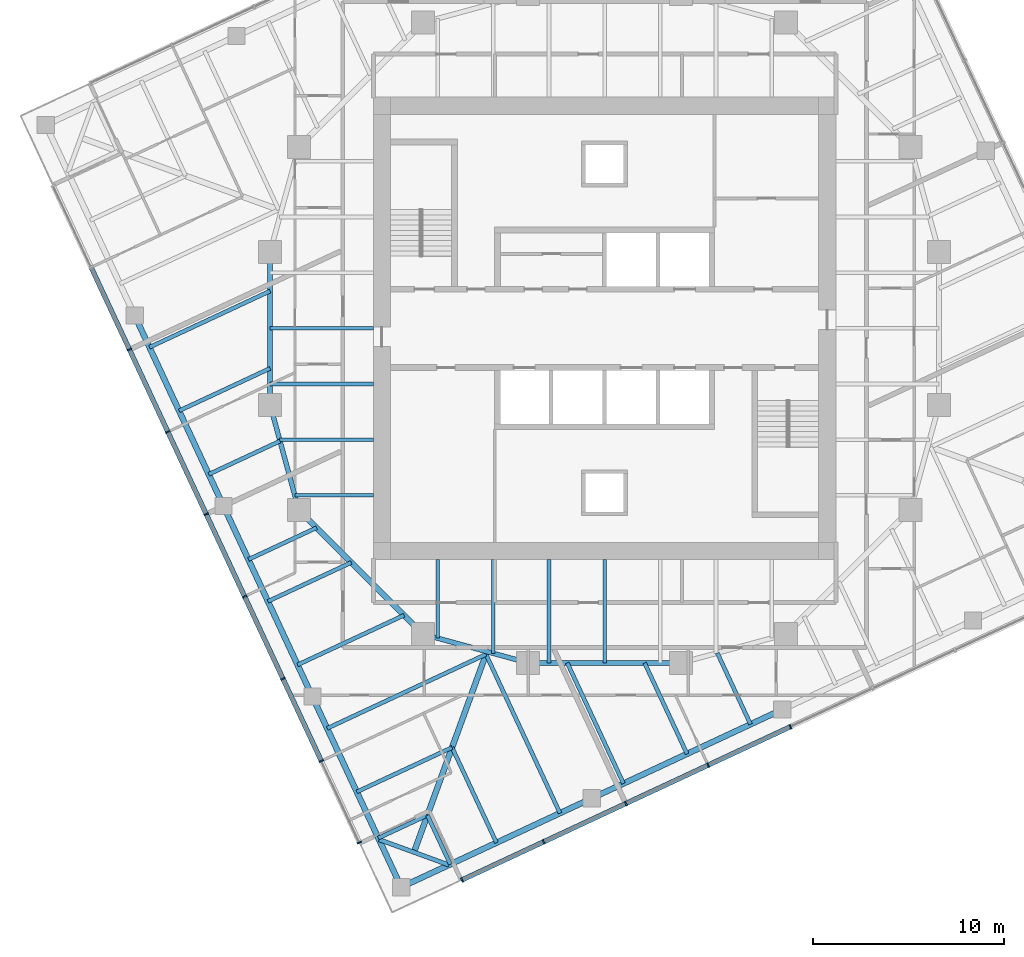
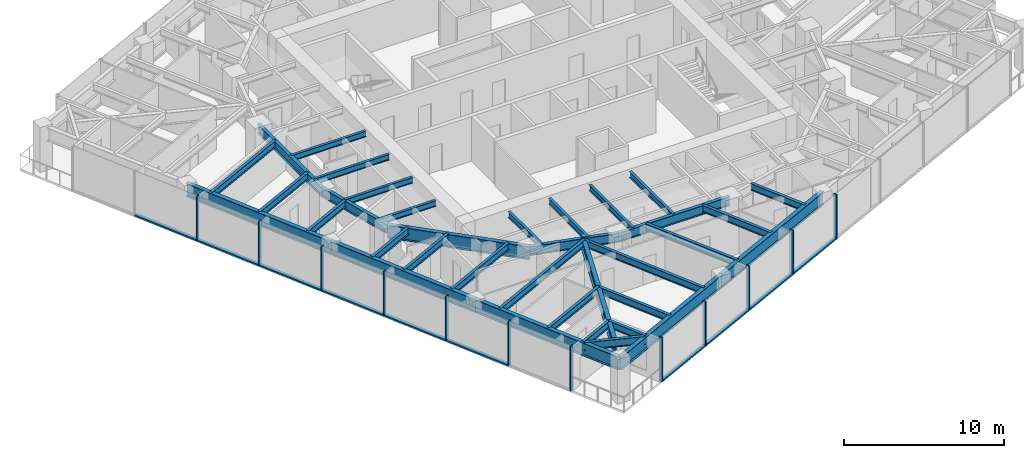
# One storey, part 2 of 12: 35 beams, 22 members, 2 elements without a shape of their own.
"""IFC4 building model written with IfcOpenShell, lengths in metres."""

import ifcopenshell
import ifcopenshell.guid

model = None  # the IFC model being written
_history = None  # IfcOwnerHistory: only IFC2X3 demands one
_inside = {}  # id of a spatial element -> (the spatial element, [elements in it])
_under = {}  # id of a project, library or spatial element -> (it, [spatial elements below it])
_declared = {}  # id of a project -> (the project, [libraries it declares])
_typed = {}  # id of a type object -> (the type object, [elements of that type])
_made_of = {}  # id of a material, layer set ... -> (it, [elements and type objects made of it])


def new_model(schema):
    """Start an empty IFC model of exactly this schema.

    Asked for "IFC4X3", IfcOpenShell would pick the latest addendum, in which some entities
    have other attributes; the version numbers below select the first issue.
    IFC2X3 requires an IfcOwnerHistory on every rooted entity: one is made here for all.
    """
    global model, _history
    if schema == "IFC4X3":
        model = ifcopenshell.file(schema_version=(4, 3, 0, 0))
    else:
        model = ifcopenshell.file(schema=schema)
    _inside.clear()
    _under.clear()
    _declared.clear()
    _typed.clear()
    _made_of.clear()
    _history = None
    if model.schema == "IFC2X3":
        org = make("IfcOrganization", Name="unknown")
        user = make(
            "IfcPersonAndOrganization",
            ThePerson=make("IfcPerson", FamilyName="unknown"),
            TheOrganization=org,
        )
        app = make(
            "IfcApplication",
            ApplicationDeveloper=org,
            Version="unknown",
            ApplicationFullName="unknown",
            ApplicationIdentifier="unknown",
        )
        _history = make(
            "IfcOwnerHistory",
            OwningUser=user,
            OwningApplication=app,
            ChangeAction="ADDED",
            CreationDate=0,
        )
    return model


def make(cls, **values):
    """One entity of the class cls with the attributes given. An attribute that is None is left unset."""
    return model.create_entity(
        cls, **{name: value for name, value in values.items() if value is not None}
    )


def rooted(cls, **values):
    """An entity with a GlobalId (a new one), such as an element, a storey or a relation."""
    return make(cls, GlobalId=ifcopenshell.guid.new(), OwnerHistory=_history, **values)


def si_unit(unit_type, name, prefix=None):
    """IfcSIUnit, for example si_unit("LENGTHUNIT", "METRE", prefix="MILLI")."""
    return make("IfcSIUnit", UnitType=unit_type, Prefix=prefix, Name=name)


def assignment(units):
    """IfcUnitAssignment: the units of a project."""
    return None if units is None else make("IfcUnitAssignment", Units=units)


def point(xyz):
    """IfcCartesianPoint."""
    return None if xyz is None else make("IfcCartesianPoint", Coordinates=xyz)


def direction(xyz):
    """IfcDirection."""
    return None if xyz is None else make("IfcDirection", DirectionRatios=xyz)


def frame(location, z_axis=None, x_axis=None):
    """IfcAxis2Placement3D, a coordinate frame: its origin and axes. An axis left out is left unset."""
    return make(
        "IfcAxis2Placement3D",
        Location=point(location),
        Axis=direction(z_axis),
        RefDirection=direction(x_axis),
    )


def frame_2d(location, x_axis=None):
    """IfcAxis2Placement2D, a coordinate frame in the plane: its origin and x axis."""
    return make(
        "IfcAxis2Placement2D", Location=point(location), RefDirection=direction(x_axis)
    )


def origin():
    """The frame at (0, 0, 0) with its axes left unset."""
    return frame((0.0, 0.0, 0.0))


def origin_2d():
    """The frame at (0, 0) in the plane with its x axis left unset."""
    return frame_2d((0.0, 0.0))


def place(relative_to, where):
    """IfcLocalPlacement: puts the frame where relative to a parent placement (None: the world)."""
    return make(
        "IfcLocalPlacement", PlacementRelTo=relative_to, RelativePlacement=where
    )


def context(
    kind, dimensions, precision=None, world=None, true_north=None, identifier=None
):
    """IfcGeometricRepresentationContext, for example the 3D "Model" context."""
    return make(
        "IfcGeometricRepresentationContext",
        ContextIdentifier=identifier,
        ContextType=kind,
        CoordinateSpaceDimension=dimensions,
        Precision=precision,
        WorldCoordinateSystem=world,
        TrueNorth=true_north,
    )


def subcontext(parent, identifier, kind, view, scale=None):
    """IfcGeometricRepresentationSubContext, for example "Body" below "Model"."""
    return make(
        "IfcGeometricRepresentationSubContext",
        ContextIdentifier=identifier,
        ContextType=kind,
        ParentContext=parent,
        TargetScale=scale,
        TargetView=view,
    )


def project(units=None, contexts=None):
    """IfcProject with its units and contexts."""
    return rooted(
        "IfcProject",
        Name="project",
        RepresentationContexts=contexts,
        UnitsInContext=assignment(units),
    )


def spatial(cls, under=None, at=None, **own):
    """A site, building, storey or space (cls), placed at a placement, below another one or the project."""
    s = rooted(cls, ObjectPlacement=at, **own)
    if under is not None:
        _under.setdefault(under.id(), (under, []))[1].append(s)
    return s


def profile(cls, at=None, kind="AREA", **sizes):
    """A parametric profile (cls). Its sizes go by their IFC names, for example OverallWidth=200.0."""
    return make(cls, ProfileType=kind, Position=at, **sizes)


def rectangle(**sizes):
    """IfcRectangleProfileDef."""
    return profile("IfcRectangleProfileDef", **sizes)


def i_section(**sizes):
    """IfcIShapeProfileDef."""
    return profile("IfcIShapeProfileDef", **sizes)


def extrude(swept, where, along, depth):
    """IfcExtrudedAreaSolid: the profile swept, set in the frame where, extruded along a direction by depth."""
    return make(
        "IfcExtrudedAreaSolid",
        SweptArea=swept,
        Position=where,
        ExtrudedDirection=direction(along),
        Depth=depth,
    )


def shape(context_of_items, identifier, shape_type, items):
    """IfcShapeRepresentation: the items that make up one representation, for example the "Body"."""
    return make(
        "IfcShapeRepresentation",
        ContextOfItems=context_of_items,
        RepresentationIdentifier=identifier,
        RepresentationType=shape_type,
        Items=items,
    )


def material(Name=None, Category=None):
    """IfcMaterial."""
    return make("IfcMaterial", Name=Name, Category=Category)


def material_profile(
    of_material, cross_section, Name=None, Category=None, Priority=None
):
    """IfcMaterialProfile: a cross section and its material."""
    return make(
        "IfcMaterialProfile",
        Name=Name,
        Material=of_material,
        Profile=cross_section,
        Priority=Priority,
        Category=Category,
    )


def profile_set(profiles, Name=None, composite=None):
    """IfcMaterialProfileSet."""
    return make(
        "IfcMaterialProfileSet",
        Name=Name,
        MaterialProfiles=profiles,
        CompositeProfile=composite,
    )


def made_of(thing, what):
    """Note that an element or type object is made of a material, layer set ...; save() writes the relation."""
    if what is not None:
        _made_of.setdefault(what.id(), (what, []))[1].append(thing)
    return thing


def type_object(cls, material=None, **own):
    """A type object (cls), such as IfcWallType, which elements share."""
    return made_of(rooted(cls, **own), material)


def element(
    cls,
    number,
    at=None,
    inside=None,
    cuts=None,
    type_object=None,
    material=None,
    context=None,
    identifier="Body",
    shape_type=None,
    held_by="IfcProductDefinitionShape",
    body=None,
    shapes=None,
    **own,
):
    """One element of the class cls, such as IfcWall. Its Tag is "e" and its number.

    at: its placement. inside: the storey or other place that contains it. cuts: it is an
    opening in that element (IfcRelVoidsElement). A single representation is given by context,
    identifier, shape_type and body (its items); several are given by shapes. held_by: the class
    of the entity that holds the representations. save() writes the other relations.
    """
    e = rooted(cls, Tag="e%d" % number, ObjectPlacement=at, **own)
    if body is not None:
        shapes = [shape(context, identifier, shape_type, body)]
    if shapes is not None:
        e.Representation = make(held_by, Representations=shapes)
    if inside is not None:
        _inside.setdefault(inside.id(), (inside, []))[1].append(e)
    if cuts is not None:
        rooted(
            "IfcRelVoidsElement", RelatingBuildingElement=cuts, RelatedOpeningElement=e
        )
    if type_object is not None:
        _typed.setdefault(type_object.id(), (type_object, []))[1].append(e)
    return made_of(e, material)


def aggregate(whole, parts):
    """IfcRelAggregates: a whole, such as a stair, and the parts it consists of."""
    return rooted("IfcRelAggregates", RelatingObject=whole, RelatedObjects=parts)


def save(model, path):
    """Write the relations noted so far, then the file.

    IfcRelAggregates (storeys below a building ...), IfcRelContainedInSpatialStructure (elements
    in a storey), IfcRelDefinesByType, IfcRelAssociatesMaterial and IfcRelDeclares: one each for
    every whole, place, type object, material and project.
    """
    for whole, parts in _under.values():
        aggregate(whole, parts)
    for where, things in _inside.values():
        rooted(
            "IfcRelContainedInSpatialStructure",
            RelatedElements=things,
            RelatingStructure=where,
        )
    for kind, things in _typed.values():
        rooted("IfcRelDefinesByType", RelatedObjects=things, RelatingType=kind)
    for what, things in _made_of.values():
        rooted("IfcRelAssociatesMaterial", RelatedObjects=things, RelatingMaterial=what)
    for by, libraries in _declared.values():
        rooted("IfcRelDeclares", RelatingContext=by, RelatedDefinitions=libraries)
    model.write(path)


model = new_model("IFC4")

# Units and contexts
model_context = context("Model", 3, precision=1e-05, world=origin(), true_north=direction((0.0, 1.0)))
body_context = subcontext(model_context, "Body", "Model", "MODEL_VIEW")
ifc_project = project(units=[si_unit("LENGTHUNIT", "METRE"), si_unit("AREAUNIT", "SQUARE_METRE"), si_unit("VOLUMEUNIT", "CUBIC_METRE"), si_unit("PLANEANGLEUNIT", "RADIAN"), si_unit("MASSUNIT", "GRAM", prefix="KILO")], contexts=[model_context])

# Site, building, storey
site_placement = place(None, origin())
site = spatial("IfcSite", under=ifc_project, at=site_placement, CompositionType="ELEMENT")
building_placement = place(site_placement, origin())
building = spatial("IfcBuilding", under=site, at=building_placement, Name="Torsade Residences", CompositionType="ELEMENT")
storey_placement = place(building_placement, frame((0.0, 0.0, 193.0)))
storey = spatial("IfcBuildingStorey", under=building, at=storey_placement, Name="L53", CompositionType="ELEMENT", Elevation=193.0)

# Beams
ifc_material_1 = material(Name="Steel grade 300", Category="steel")
ifc_material_profile_1 = material_profile(ifc_material_1, i_section(OverallWidth=0.300048828125, OverallDepth=0.89990234375, WebThickness=0.011962890625, FlangeThickness=0.02490234375, at=origin_2d()), Name="900WB175")
ifc_profile_set_1 = profile_set([ifc_material_profile_1], Name="Steel grade 300")
beam_type_1 = type_object("IfcBeamType", Name="CORNER GIRDER 900WB175", PredefinedType="BEAM", material=ifc_profile_set_1)
beam_1_placement = place(storey_placement, frame((30.02392578125, 2.5908203125, 2.800048828125), z_axis=(0.342015044723, 0.93969447651, 0.0), x_axis=(-0.93969447651, 0.342015044723, 0.0)))
element("IfcBeam", 1, at=beam_1_placement, inside=storey, type_object=beam_type_1, Name="Corner girder 01 L54", PredefinedType="BEAM", context=body_context, shape_type="SweptSolid", body=[
    extrude(i_section(OverallWidth=0.300048828125, OverallDepth=0.89990234375, WebThickness=0.011962890625, FlangeThickness=0.02490234375, at=origin_2d()), origin(), (0.0, 0.0, 1.0), 11.170654296875),
])
ifc_material_2 = material(Name="Steel grade 300", Category="steel")
ifc_material_profile_2 = material_profile(ifc_material_2, i_section(OverallWidth=0.22802734375, OverallDepth=0.60205078125, WebThickness=0.010498046875, FlangeThickness=0.014892578125, FilletRadius=0.013916015625, at=origin_2d()), Name="610UB101")
ifc_profile_set_2 = profile_set([ifc_material_profile_2], Name="Steel grade 300")
beam_type_2 = type_object("IfcBeamType", Name="CORNER TRIMMER 610UB101", PredefinedType="BEAM", material=ifc_profile_set_2)
beam_2_placement = place(storey_placement, frame((31.85107421875, 1.92578125, 2.948974609375), z_axis=(-0.939698076972, 0.342005152204, 0.0), x_axis=(-0.342005152204, -0.939698076972, 0.0)))
element("IfcBeam", 2, at=beam_2_placement, inside=storey, type_object=beam_type_2, Name="Corner trimmer 01 L54", PredefinedType="BEAM", context=body_context, shape_type="SweptSolid", body=[
    extrude(i_section(OverallWidth=0.22802734375, OverallDepth=0.60205078125, WebThickness=0.010498046875, FlangeThickness=0.014892578125, FilletRadius=0.013916015625, at=origin_2d()), origin(), (0.0, 0.0, 1.0), 3.88916015625),
])
ifc_material_3 = material(Name="Steel grade 300", Category="steel")
ifc_material_profile_3 = material_profile(ifc_material_3, i_section(OverallWidth=0.300048828125, OverallDepth=1.0, WebThickness=0.01611328125, FlangeThickness=0.028076171875, at=origin_2d()), Name="1000WB215")
ifc_profile_set_3 = profile_set([ifc_material_profile_3], Name="Steel grade 300")
beam_type_3 = type_object("IfcBeamType", Name="EDGE BEAM 1000WB215", PredefinedType="SPANDREL", material=ifc_profile_set_3)
beam_3_placement = place(storey_placement, frame((29.35888671875, 0.763671875, 2.75), z_axis=(0.906309546032, 0.422614489543, 0.0), x_axis=(-0.422614489543, 0.906309546032, 0.0)))
element("IfcBeam", 3, at=beam_3_placement, inside=storey, type_object=beam_type_3, Name="Edge beam 01 L54", PredefinedType="SPANDREL", context=body_context, shape_type="SweptSolid", body=[
    extrude(i_section(OverallWidth=0.300048828125, OverallDepth=1.0, WebThickness=0.01611328125, FlangeThickness=0.028076171875, at=origin_2d()), origin(), (0.0, 0.0, 1.0), 10.999755859375),
])
for number, where, z_axis, x_axis, name in (
    (4, (39.328125, 5.412353515625, 2.75), (0.906305009094, 0.422624219007, 0.0), (-0.422624219007, 0.906305009094, 0.0), "Edge beam 02 L54"),
    (5, (15.412353515625, 30.671875, 2.75), (0.422624219007, -0.906305009094, 0.0), (0.906305009094, 0.422624219007, 0.0), "Edge beam 14 L54"),
):
    element("IfcBeam", number, at=place(storey_placement, frame(where, z_axis=z_axis, x_axis=x_axis)), inside=storey, type_object=beam_type_3, Name=name, PredefinedType="SPANDREL", context=body_context, shape_type="SweptSolid", body=[
        extrude(i_section(OverallWidth=0.300048828125, OverallDepth=1.0, WebThickness=0.01611328125, FlangeThickness=0.028076171875, at=origin_2d()), origin(), (0.0, 0.0, 1.0), 11.000244140625),
    ])
for number, where, z_axis, x_axis, name in (
    (6, (20.061279296875, 20.702392578125, 2.75), (0.422605988587, -0.906313510001, 0.0), (0.906313510001, 0.422605988587, 0.0), "Edge beam 15 L54"),
    (7, (24.7099609375, 10.73291015625, 2.75), (0.422632720171, -0.90630104482, 0.0), (0.90630104482, 0.422632720171, 0.0), "Edge beam 16 L54"),
):
    element("IfcBeam", number, at=place(storey_placement, frame(where, z_axis=z_axis, x_axis=x_axis)), inside=storey, type_object=beam_type_3, Name=name, PredefinedType="SPANDREL", context=body_context, shape_type="SweptSolid", body=[
        extrude(i_section(OverallWidth=0.300048828125, OverallDepth=1.0, WebThickness=0.01611328125, FlangeThickness=0.028076171875, at=origin_2d()), origin(), (0.0, 0.0, 1.0), 11.0),
    ])
ifc_material_4 = material(Name="Steel grade 300", Category="steel")
ifc_material_profile_4 = material_profile(ifc_material_4, i_section(OverallWidth=0.18994140625, OverallDepth=0.4541015625, WebThickness=0.008544921875, FlangeThickness=0.0126953125, FilletRadius=0.011474609375, at=origin_2d()), Name="460UB67.1")
ifc_profile_set_4 = profile_set([ifc_material_profile_4], Name="Steel grade 300")
beam_type_4 = type_object("IfcBeamType", Name="INNER FLOOR BEAM 460UB67.1", PredefinedType="JOIST", material=ifc_profile_set_4)
for number, where, z_axis, x_axis, name in (
    (8, (40.0, 17.89990234375, 3.02294921875), (0.0, -1.0, 0.0), (1.0, 0.0, 0.0), "Inner floor beam IS04 L54"),
    (9, (37.08740234375, 17.89990234375, 3.02294921875), (0.0, -1.0, 0.0), (1.0, 0.0, 0.0), "Inner floor beam IS05 L54"),
):
    element("IfcBeam", number, at=place(storey_placement, frame(where, z_axis=z_axis, x_axis=x_axis)), inside=storey, type_object=beam_type_4, Name=name, PredefinedType="JOIST", context=body_context, shape_type="SweptSolid", body=[
        extrude(i_section(OverallWidth=0.18994140625, OverallDepth=0.4541015625, WebThickness=0.008544921875, FlangeThickness=0.0126953125, FilletRadius=0.011474609375, at=origin_2d()), origin(), (0.0, 0.0, 1.0), 5.39990234375),
    ])
beam_4_placement = place(storey_placement, frame((34.175048828125, 17.89990234375, 3.02294921875), z_axis=(0.0, -1.0, 0.0), x_axis=(1.0, 0.0, 0.0)))
element("IfcBeam", 10, at=beam_4_placement, inside=storey, type_object=beam_type_4, Name="Inner floor beam IS06 L54", PredefinedType="JOIST", context=body_context, shape_type="SweptSolid", body=[
    extrude(i_section(OverallWidth=0.18994140625, OverallDepth=0.4541015625, WebThickness=0.008544921875, FlangeThickness=0.0126953125, FilletRadius=0.011474609375, at=origin_2d()), origin(), (0.0, 0.0, 1.0), 4.902099609375),
])
beam_5_placement = place(storey_placement, frame((31.262451171875, 17.89990234375, 3.02294921875), z_axis=(0.0, -1.0, 0.0), x_axis=(1.0, 0.0, 0.0)))
element("IfcBeam", 11, at=beam_5_placement, inside=storey, type_object=beam_type_4, Name="Inner floor beam IS07 L54", PredefinedType="JOIST", context=body_context, shape_type="SweptSolid", body=[
    extrude(i_section(OverallWidth=0.18994140625, OverallDepth=0.4541015625, WebThickness=0.008544921875, FlangeThickness=0.0126953125, FilletRadius=0.011474609375, at=origin_2d()), origin(), (0.0, 0.0, 1.0), 4.10791015625),
])
for number, where, z_axis, x_axis, name in (
    (12, (27.89990234375, 30.0, 3.02294921875), (-1.0, 0.0, 0.0), (0.0, -1.0, 0.0), "Inner floor beam IW04 L54"),
    (13, (27.89990234375, 27.08740234375, 3.02294921875), (-1.0, 0.0, 0.0), (0.0, -1.0, 0.0), "Inner floor beam IW05 L54"),
):
    element("IfcBeam", number, at=place(storey_placement, frame(where, z_axis=z_axis, x_axis=x_axis)), inside=storey, type_object=beam_type_4, Name=name, PredefinedType="JOIST", context=body_context, shape_type="SweptSolid", body=[
        extrude(i_section(OverallWidth=0.18994140625, OverallDepth=0.4541015625, WebThickness=0.008544921875, FlangeThickness=0.0126953125, FilletRadius=0.011474609375, at=origin_2d()), origin(), (0.0, 0.0, 1.0), 5.39990234375),
    ])
beam_6_placement = place(storey_placement, frame((27.89990234375, 24.175048828125, 3.02294921875), z_axis=(-1.0, 0.0, 0.0), x_axis=(0.0, -1.0, 0.0)))
element("IfcBeam", 14, at=beam_6_placement, inside=storey, type_object=beam_type_4, Name="Inner floor beam IW06 L54", PredefinedType="JOIST", context=body_context, shape_type="SweptSolid", body=[
    extrude(i_section(OverallWidth=0.18994140625, OverallDepth=0.4541015625, WebThickness=0.008544921875, FlangeThickness=0.0126953125, FilletRadius=0.011474609375, at=origin_2d()), origin(), (0.0, 0.0, 1.0), 4.902099609375),
])
beam_7_placement = place(storey_placement, frame((27.89990234375, 21.262451171875, 3.02294921875), z_axis=(-1.0, 0.0, 0.0), x_axis=(0.0, -1.0, 0.0)))
element("IfcBeam", 15, at=beam_7_placement, inside=storey, type_object=beam_type_4, Name="Inner floor beam IW07 L54", PredefinedType="JOIST", context=body_context, shape_type="SweptSolid", body=[
    extrude(i_section(OverallWidth=0.18994140625, OverallDepth=0.4541015625, WebThickness=0.008544921875, FlangeThickness=0.0126953125, FilletRadius=0.011474609375, at=origin_2d()), origin(), (0.0, 0.0, 1.0), 4.10791015625),
])

# Curtain wall, members
ifc_material_5 = material(Name="Aluminium and glass", Category="aluminium")
curtain_wall_type = type_object("IfcCurtainWallType", Name="FRITTED GLASS CURTAIN WALL MID ZONE", PredefinedType="NOTDEFINED", material=ifc_material_5)
curtain_wall_1_placement = place(storey_placement, origin())
curtain_wall_1 = element("IfcCurtainWall", 16, at=curtain_wall_1_placement, inside=storey, type_object=curtain_wall_type, Name="Curtain wall L53 face 1", PredefinedType="NOTDEFINED")
ifc_material_6 = material(Name="Aluminium mullion", Category="aluminium")
ifc_material_profile_5 = material_profile(ifc_material_6, rectangle(XDim=0.25, YDim=0.080078125, at=origin_2d()), Name="MID ZONE CURTAIN WALL MULLION 250x80")
ifc_profile_set_5 = profile_set([ifc_material_profile_5], Name="Aluminium mullion")
member_type_1 = type_object("IfcMemberType", Name="MID ZONE CURTAIN WALL MULLION 250x80", PredefinedType="MULLION", material=ifc_profile_set_5)
member_1_placement = place(storey_placement, frame((32.53662109375, 1.14208984375, 0.0), z_axis=(0.0, 0.0, 1.0), x_axis=(-0.422618261978, 0.906307786926, 0.0)))
member_1 = element("IfcMember", 17, at=member_1_placement, type_object=member_type_1, Name="Mullion 1", PredefinedType="MULLION", context=body_context, shape_type="SweptSolid", body=[
    extrude(rectangle(XDim=0.25, YDim=0.080078125, at=origin_2d()), origin(), (0.0, 0.0, 1.0), 3.39990234375),
])
member_2_placement = place(storey_placement, frame((36.805419921875, 3.132568359375, 0.0), z_axis=(0.0, 0.0, 1.0), x_axis=(-0.422618261978, 0.906307786926, 0.0)))
member_2 = element("IfcMember", 18, at=member_2_placement, type_object=member_type_1, Name="Mullion 2", PredefinedType="MULLION", context=body_context, shape_type="SweptSolid", body=[
    extrude(rectangle(XDim=0.25, YDim=0.080078125, at=origin_2d()), origin(), (0.0, 0.0, 1.0), 3.39990234375),
])
member_3_placement = place(storey_placement, frame((41.1103515625, 5.14013671875, 0.0), z_axis=(0.0, 0.0, 1.0), x_axis=(-0.422618261978, 0.906307786926, 0.0)))
member_3 = element("IfcMember", 19, at=member_3_placement, type_object=member_type_1, Name="Mullion 3", PredefinedType="MULLION", context=body_context, shape_type="SweptSolid", body=[
    extrude(rectangle(XDim=0.25, YDim=0.080078125, at=origin_2d()), origin(), (0.0, 0.0, 1.0), 3.39990234375),
])
member_4_placement = place(storey_placement, frame((45.415283203125, 7.1474609375, 0.0), z_axis=(0.0, 0.0, 1.0), x_axis=(-0.422618261978, 0.906307786926, 0.0)))
member_4 = element("IfcMember", 20, at=member_4_placement, type_object=member_type_1, Name="Mullion 4", PredefinedType="MULLION", context=body_context, shape_type="SweptSolid", body=[
    extrude(rectangle(XDim=0.25, YDim=0.080078125, at=origin_2d()), origin(), (0.0, 0.0, 1.0), 3.39990234375),
])
member_5_placement = place(storey_placement, frame((49.72021484375, 9.155029296875, 0.0), z_axis=(0.0, 0.0, 1.0), x_axis=(-0.422618261978, 0.906307786926, 0.0)))
member_5 = element("IfcMember", 21, at=member_5_placement, type_object=member_type_1, Name="Mullion 5", PredefinedType="MULLION", context=body_context, shape_type="SweptSolid", body=[
    extrude(rectangle(XDim=0.25, YDim=0.080078125, at=origin_2d()), origin(), (0.0, 0.0, 1.0), 3.39990234375),
])

curtain_wall_2_placement = place(storey_placement, origin())
curtain_wall_2 = element("IfcCurtainWall", 22, at=curtain_wall_2_placement, inside=storey, type_object=curtain_wall_type, Name="Curtain wall L53 face 10", PredefinedType="NOTDEFINED")
member_6_placement = place(storey_placement, frame((15.14013671875, 28.8896484375, 0.0), z_axis=(0.0, 0.0, 1.0), x_axis=(0.906307786926, 0.422618261978, 0.0)))
member_6 = element("IfcMember", 23, at=member_6_placement, type_object=member_type_1, Name="Mullion 3", PredefinedType="MULLION", context=body_context, shape_type="SweptSolid", body=[
    extrude(rectangle(XDim=0.25, YDim=0.080078125, at=origin_2d()), origin(), (0.0, 0.0, 1.0), 3.39990234375),
])
member_7_placement = place(storey_placement, frame((17.1474609375, 24.584716796875, 0.0), z_axis=(0.0, 0.0, 1.0), x_axis=(0.906307786926, 0.422618261978, 0.0)))
member_7 = element("IfcMember", 24, at=member_7_placement, type_object=member_type_1, Name="Mullion 4", PredefinedType="MULLION", context=body_context, shape_type="SweptSolid", body=[
    extrude(rectangle(XDim=0.25, YDim=0.080078125, at=origin_2d()), origin(), (0.0, 0.0, 1.0), 3.39990234375),
])
member_8_placement = place(storey_placement, frame((19.155029296875, 20.27978515625, 0.0), z_axis=(0.0, 0.0, 1.0), x_axis=(0.906307786926, 0.422618261978, 0.0)))
member_8 = element("IfcMember", 25, at=member_8_placement, type_object=member_type_1, Name="Mullion 5", PredefinedType="MULLION", context=body_context, shape_type="SweptSolid", body=[
    extrude(rectangle(XDim=0.25, YDim=0.080078125, at=origin_2d()), origin(), (0.0, 0.0, 1.0), 3.39990234375),
])
member_9_placement = place(storey_placement, frame((21.162353515625, 15.974853515625, 0.0), z_axis=(0.0, 0.0, 1.0), x_axis=(0.906307786926, 0.422618261978, 0.0)))
member_9 = element("IfcMember", 26, at=member_9_placement, type_object=member_type_1, Name="Mullion 6", PredefinedType="MULLION", context=body_context, shape_type="SweptSolid", body=[
    extrude(rectangle(XDim=0.25, YDim=0.080078125, at=origin_2d()), origin(), (0.0, 0.0, 1.0), 3.39990234375),
])
member_10_placement = place(storey_placement, frame((23.169677734375, 11.669921875, 0.0), z_axis=(0.0, 0.0, 1.0), x_axis=(0.906307786926, 0.422618261978, 0.0)))
member_10 = element("IfcMember", 27, at=member_10_placement, type_object=member_type_1, Name="Mullion 7", PredefinedType="MULLION", context=body_context, shape_type="SweptSolid", body=[
    extrude(rectangle(XDim=0.25, YDim=0.080078125, at=origin_2d()), origin(), (0.0, 0.0, 1.0), 3.39990234375),
])
member_11_placement = place(storey_placement, frame((25.17724609375, 7.364990234375, 0.0), z_axis=(0.0, 0.0, 1.0), x_axis=(0.906307786926, 0.422618261978, 0.0)))
member_11 = element("IfcMember", 28, at=member_11_placement, type_object=member_type_1, Name="Mullion 8", PredefinedType="MULLION", context=body_context, shape_type="SweptSolid", body=[
    extrude(rectangle(XDim=0.25, YDim=0.080078125, at=origin_2d()), origin(), (0.0, 0.0, 1.0), 3.39990234375),
])
member_12_placement = place(storey_placement, frame((27.167724609375, 3.09619140625, 0.0), z_axis=(0.0, 0.0, 1.0), x_axis=(0.906307786926, 0.422618261978, 0.0)))
member_12 = element("IfcMember", 29, at=member_12_placement, type_object=member_type_1, Name="Mullion 9", PredefinedType="MULLION", context=body_context, shape_type="SweptSolid", body=[
    extrude(rectangle(XDim=0.25, YDim=0.080078125, at=origin_2d()), origin(), (0.0, 0.0, 1.0), 3.39990234375),
])

# Member
ifc_material_7 = material(Name="Aluminium transom", Category="aluminium")
ifc_material_profile_6 = material_profile(ifc_material_7, rectangle(XDim=0.25, YDim=0.110107421875, at=origin_2d()), Name="MID ZONE CURTAIN WALL TRANSOM 250x110")
ifc_profile_set_6 = profile_set([ifc_material_profile_6], Name="Aluminium transom")
member_type_2 = type_object("IfcMemberType", Name="MID ZONE CURTAIN WALL TRANSOM 250x110", PredefinedType="USERDEFINED", material=ifc_profile_set_6)
member_13_placement = place(storey_placement, frame((32.572998046875, 1.158935546875, 0.054931640625), z_axis=(0.906296268578, 0.422642962277, 0.0), x_axis=(-0.422642962277, 0.906296268578, 0.0)))
member_13 = element("IfcMember", 30, at=member_13_placement, type_object=member_type_2, Name="Transom 1.1", ObjectType="TRANSOM", PredefinedType="USERDEFINED", context=body_context, shape_type="SweptSolid", body=[
    extrude(rectangle(XDim=0.25, YDim=0.110107421875, at=origin_2d()), origin(), (0.0, 0.0, 1.0), 4.6298828125),
])

member_14_placement = place(storey_placement, frame((36.841552734375, 3.1494140625, 0.054931640625), z_axis=(0.906305976097, 0.422622145291, 0.0), x_axis=(-0.422622145291, 0.906305976097, 0.0)))
member_14 = element("IfcMember", 31, at=member_14_placement, type_object=member_type_2, Name="Transom 2.1", ObjectType="TRANSOM", PredefinedType="USERDEFINED", context=body_context, shape_type="SweptSolid", body=[
    extrude(rectangle(XDim=0.25, YDim=0.110107421875, at=origin_2d()), origin(), (0.0, 0.0, 1.0), 4.669921875),
])

member_15_placement = place(storey_placement, frame((41.146484375, 5.156982421875, 0.054931640625), z_axis=(0.906305976097, 0.422622145291, 0.0), x_axis=(-0.422622145291, 0.906305976097, 0.0)))
member_15 = element("IfcMember", 32, at=member_15_placement, type_object=member_type_2, Name="Transom 3.1", ObjectType="TRANSOM", PredefinedType="USERDEFINED", context=body_context, shape_type="SweptSolid", body=[
    extrude(rectangle(XDim=0.25, YDim=0.110107421875, at=origin_2d()), origin(), (0.0, 0.0, 1.0), 4.669921875),
])

member_16_placement = place(storey_placement, frame((45.451416015625, 7.164306640625, 0.054931640625), z_axis=(0.90631531293, 0.422602122035, 0.0), x_axis=(-0.422602122035, 0.90631531293, 0.0)))
member_16 = element("IfcMember", 33, at=member_16_placement, type_object=member_type_2, Name="Transom 4.1", ObjectType="TRANSOM", PredefinedType="USERDEFINED", context=body_context, shape_type="SweptSolid", body=[
    extrude(rectangle(XDim=0.25, YDim=0.110107421875, at=origin_2d()), origin(), (0.0, 0.0, 1.0), 4.670166015625),
])

aggregate(curtain_wall_1, [member_1, member_2, member_3, member_4, member_5, member_13, member_14, member_15, member_16])

member_17_placement = place(storey_placement, frame((13.1494140625, 33.158447265625, 0.054931640625), z_axis=(0.422622145291, -0.906305976097, 0.0), x_axis=(0.906305976097, 0.422622145291, 0.0)))
member_17 = element("IfcMember", 34, at=member_17_placement, type_object=member_type_2, Name="Transom 2.1", ObjectType="TRANSOM", PredefinedType="USERDEFINED", context=body_context, shape_type="SweptSolid", body=[
    extrude(rectangle(XDim=0.25, YDim=0.110107421875, at=origin_2d()), origin(), (0.0, 0.0, 1.0), 4.669921875),
])

member_18_placement = place(storey_placement, frame((15.156982421875, 28.853515625, 0.054931640625), z_axis=(0.422622145291, -0.906305976097, 0.0), x_axis=(0.906305976097, 0.422622145291, 0.0)))
member_18 = element("IfcMember", 35, at=member_18_placement, type_object=member_type_2, Name="Transom 3.1", ObjectType="TRANSOM", PredefinedType="USERDEFINED", context=body_context, shape_type="SweptSolid", body=[
    extrude(rectangle(XDim=0.25, YDim=0.110107421875, at=origin_2d()), origin(), (0.0, 0.0, 1.0), 4.669921875),
])

member_19_placement = place(storey_placement, frame((17.164306640625, 24.548583984375, 0.054931640625), z_axis=(0.422602122035, -0.90631531293, 0.0), x_axis=(0.90631531293, 0.422602122035, 0.0)))
member_19 = element("IfcMember", 36, at=member_19_placement, type_object=member_type_2, Name="Transom 4.1", ObjectType="TRANSOM", PredefinedType="USERDEFINED", context=body_context, shape_type="SweptSolid", body=[
    extrude(rectangle(XDim=0.25, YDim=0.110107421875, at=origin_2d()), origin(), (0.0, 0.0, 1.0), 4.670166015625),
])

member_20_placement = place(storey_placement, frame((19.171875, 20.243408203125, 0.054931640625), z_axis=(0.422622145291, -0.906305976097, 0.0), x_axis=(0.906305976097, 0.422622145291, 0.0)))
member_20 = element("IfcMember", 37, at=member_20_placement, type_object=member_type_2, Name="Transom 5.1", ObjectType="TRANSOM", PredefinedType="USERDEFINED", context=body_context, shape_type="SweptSolid", body=[
    extrude(rectangle(XDim=0.25, YDim=0.110107421875, at=origin_2d()), origin(), (0.0, 0.0, 1.0), 4.669921875),
])

member_21_placement = place(storey_placement, frame((21.17919921875, 15.9384765625, 0.054931640625), z_axis=(0.422622145291, -0.906305976097, 0.0), x_axis=(0.906305976097, 0.422622145291, 0.0)))
member_21 = element("IfcMember", 38, at=member_21_placement, type_object=member_type_2, Name="Transom 6.1", ObjectType="TRANSOM", PredefinedType="USERDEFINED", context=body_context, shape_type="SweptSolid", body=[
    extrude(rectangle(XDim=0.25, YDim=0.110107421875, at=origin_2d()), origin(), (0.0, 0.0, 1.0), 4.669921875),
])

member_22_placement = place(storey_placement, frame((23.186767578125, 11.633544921875, 0.054931640625), z_axis=(0.422622145291, -0.906305976097, 0.0), x_axis=(0.906305976097, 0.422622145291, 0.0)))
member_22 = element("IfcMember", 39, at=member_22_placement, type_object=member_type_2, Name="Transom 7.1", ObjectType="TRANSOM", PredefinedType="USERDEFINED", context=body_context, shape_type="SweptSolid", body=[
    extrude(rectangle(XDim=0.25, YDim=0.110107421875, at=origin_2d()), origin(), (0.0, 0.0, 1.0), 4.669921875),
])

aggregate(curtain_wall_2, [member_6, member_7, member_8, member_9, member_10, member_11, member_12, member_17, member_18, member_19, member_20, member_21, member_22])

# Beams
ifc_material_8 = material(Name="Steel grade 300", Category="steel")
ifc_material_profile_7 = material_profile(ifc_material_8, i_section(OverallWidth=0.300048828125, OverallDepth=1.0, WebThickness=0.01611328125, FlangeThickness=0.028076171875, at=origin_2d()), Name="1000WB215")
ifc_profile_set_7 = profile_set([ifc_material_profile_7], Name="Steel grade 300")
beam_type_5 = type_object("IfcBeamType", Name="RING CORNER GIRDER 1000WB215", PredefinedType="BEAM", material=ifc_profile_set_7)
beam_8_placement = place(storey_placement, frame((24.0, 20.5, 2.75), z_axis=(0.707106781187, -0.707106781187, 0.0), x_axis=(0.707106781187, 0.707106781187, 0.0)))
element("IfcBeam", 40, at=beam_8_placement, inside=storey, type_object=beam_type_5, Name="Ring girder IR11 L54", PredefinedType="BEAM", context=body_context, shape_type="SweptSolid", body=[
    extrude(i_section(OverallWidth=0.300048828125, OverallDepth=1.0, WebThickness=0.01611328125, FlangeThickness=0.028076171875, at=origin_2d()), origin(), (0.0, 0.0, 1.0), 9.1923828125),
])
ifc_material_9 = material(Name="Steel grade 300", Category="steel")
ifc_material_profile_8 = material_profile(ifc_material_9, i_section(OverallWidth=0.25, OverallDepth=0.699951171875, WebThickness=0.010009765625, FlangeThickness=0.02001953125, at=origin_2d()), Name="700WB130")
ifc_profile_set_8 = profile_set([ifc_material_profile_8], Name="Steel grade 300")
beam_type_6 = type_object("IfcBeamType", Name="RING GIRDER 700WB130", PredefinedType="BEAM", material=ifc_profile_set_8)
beam_9_placement = place(storey_placement, frame((22.5, 34.0, 2.89990234375), z_axis=(0.0, -1.0, 0.0), x_axis=(1.0, 0.0, 0.0)))
element("IfcBeam", 41, at=beam_9_placement, inside=storey, type_object=beam_type_6, Name="Ring girder IR09 L54", PredefinedType="BEAM", context=body_context, shape_type="SweptSolid", body=[
    extrude(i_section(OverallWidth=0.25, OverallDepth=0.699951171875, WebThickness=0.010009765625, FlangeThickness=0.02001953125, at=origin_2d()), origin(), (0.0, 0.0, 1.0), 8.0),
])
for number, where, z_axis, x_axis, name in (
    (42, (22.5, 26.0, 2.89990234375), (0.263117405792, -0.964763821238, 0.0), (0.964763821238, 0.263117405792, 0.0), "Ring girder IR10 L54"),
    (43, (30.5, 14.0, 2.89990234375), (0.964763821238, -0.263117405792, 0.0), (0.263117405792, 0.964763821238, 0.0), "Ring girder IR12 L54"),
):
    element("IfcBeam", number, at=place(storey_placement, frame(where, z_axis=z_axis, x_axis=x_axis)), inside=storey, type_object=beam_type_6, Name=name, PredefinedType="BEAM", context=body_context, shape_type="SweptSolid", body=[
        extrude(i_section(OverallWidth=0.25, OverallDepth=0.699951171875, WebThickness=0.010009765625, FlangeThickness=0.02001953125, at=origin_2d()), origin(), (0.0, 0.0, 1.0), 5.700927734375),
    ])
beam_10_placement = place(storey_placement, frame((36.0, 12.5, 2.89990234375), z_axis=(1.0, 0.0, 0.0), x_axis=(0.0, 1.0, 0.0)))
element("IfcBeam", 44, at=beam_10_placement, inside=storey, type_object=beam_type_6, Name="Ring girder IR13 L54", PredefinedType="BEAM", context=body_context, shape_type="SweptSolid", body=[
    extrude(i_section(OverallWidth=0.25, OverallDepth=0.699951171875, WebThickness=0.010009765625, FlangeThickness=0.02001953125, at=origin_2d()), origin(), (0.0, 0.0, 1.0), 8.0),
])
ifc_material_10 = material(Name="Steel grade 300", Category="steel")
ifc_material_profile_9 = material_profile(ifc_material_10, i_section(OverallWidth=0.208984375, OverallDepth=0.528076171875, WebThickness=0.009521484375, FlangeThickness=0.01318359375, FilletRadius=0.013916015625, at=origin_2d()), Name="530UB82.0")
ifc_profile_set_9 = profile_set([ifc_material_profile_9], Name="Steel grade 300")
beam_type_7 = type_object("IfcBeamType", Name="SECONDARY BEAM 530UB82.0", PredefinedType="JOIST", material=ifc_profile_set_9)
beam_11_placement = place(storey_placement, frame((31.9267578125, 1.9609375, 2.986083984375), z_axis=(-0.422644877104, 0.906295375613, 0.0), x_axis=(-0.906295375613, -0.422644877104, 0.0)))
element("IfcBeam", 45, at=beam_11_placement, inside=storey, type_object=beam_type_7, Name="Floor beam FS01 L54", PredefinedType="JOIST", context=body_context, shape_type="SweptSolid", body=[
    extrude(i_section(OverallWidth=0.208984375, OverallDepth=0.528076171875, WebThickness=0.009521484375, FlangeThickness=0.01318359375, FilletRadius=0.013916015625, at=origin_2d()), origin(), (0.0, 0.0, 1.0), 2.833251953125),
])
beam_12_placement = place(storey_placement, frame((34.343505859375, 3.088134765625, 2.986083984375), z_axis=(-0.422632720171, 0.90630104482, 0.0), x_axis=(-0.90630104482, -0.422632720171, 0.0)))
element("IfcBeam", 46, at=beam_12_placement, inside=storey, type_object=beam_type_7, Name="Floor beam FS02 L54", PredefinedType="JOIST", context=body_context, shape_type="SweptSolid", body=[
    extrude(i_section(OverallWidth=0.208984375, OverallDepth=0.528076171875, WebThickness=0.009521484375, FlangeThickness=0.01318359375, FilletRadius=0.013916015625, at=origin_2d()), origin(), (0.0, 0.0, 1.0), 5.5),
])
beam_13_placement = place(storey_placement, frame((37.666748046875, 4.6376953125, 2.986083984375), z_axis=(-0.422618627092, 0.90630761667, 0.0), x_axis=(-0.90630761667, -0.422618627092, 0.0)))
element("IfcBeam", 47, at=beam_13_placement, inside=storey, type_object=beam_type_7, Name="Floor beam FS03 L54", PredefinedType="JOIST", context=body_context, shape_type="SweptSolid", body=[
    extrude(i_section(OverallWidth=0.208984375, OverallDepth=0.528076171875, WebThickness=0.009521484375, FlangeThickness=0.01318359375, FilletRadius=0.013916015625, at=origin_2d()), origin(), (0.0, 0.0, 1.0), 9.166748046875),
])
beam_14_placement = place(storey_placement, frame((40.98974609375, 6.187255859375, 2.986083984375), z_axis=(-0.422609131726, 0.906312044376, 0.0), x_axis=(-0.906312044376, -0.422609131726, 0.0)))
element("IfcBeam", 48, at=beam_14_placement, inside=storey, type_object=beam_type_7, Name="Floor beam FS04 L54", PredefinedType="JOIST", context=body_context, shape_type="SweptSolid", body=[
    extrude(i_section(OverallWidth=0.208984375, OverallDepth=0.528076171875, WebThickness=0.009521484375, FlangeThickness=0.01318359375, FilletRadius=0.013916015625, at=origin_2d()), origin(), (0.0, 0.0, 1.0), 6.96533203125),
])
beam_15_placement = place(storey_placement, frame((44.31298828125, 7.73681640625, 2.986083984375), z_axis=(-0.422631142882, 0.90630178035, 0.0), x_axis=(-0.90630178035, -0.422631142882, 0.0)))
element("IfcBeam", 49, at=beam_15_placement, inside=storey, type_object=beam_type_7, Name="Floor beam FS05 L54", PredefinedType="JOIST", context=body_context, shape_type="SweptSolid", body=[
    extrude(i_section(OverallWidth=0.208984375, OverallDepth=0.528076171875, WebThickness=0.009521484375, FlangeThickness=0.01318359375, FilletRadius=0.013916015625, at=origin_2d()), origin(), (0.0, 0.0, 1.0), 5.255615234375),
])
beam_16_placement = place(storey_placement, frame((47.635986328125, 9.286376953125, 2.986083984375), z_axis=(-0.422635442612, 0.906299775267, 0.0), x_axis=(-0.906299775267, -0.422635442612, 0.0)))
element("IfcBeam", 50, at=beam_16_placement, inside=storey, type_object=beam_type_7, Name="Floor beam FS06 L54", PredefinedType="JOIST", context=body_context, shape_type="SweptSolid", body=[
    extrude(i_section(OverallWidth=0.208984375, OverallDepth=0.528076171875, WebThickness=0.009521484375, FlangeThickness=0.01318359375, FilletRadius=0.013916015625, at=origin_2d()), origin(), (0.0, 0.0, 1.0), 4.116455078125),
])
beam_17_placement = place(storey_placement, frame((16.187255859375, 29.01025390625, 2.986083984375), z_axis=(0.906312044376, 0.422609131726, 0.0), x_axis=(-0.422609131726, 0.906312044376, 0.0)))
element("IfcBeam", 51, at=beam_17_placement, inside=storey, type_object=beam_type_7, Name="Floor beam FW04 L54", PredefinedType="JOIST", context=body_context, shape_type="SweptSolid", body=[
    extrude(i_section(OverallWidth=0.208984375, OverallDepth=0.528076171875, WebThickness=0.009521484375, FlangeThickness=0.01318359375, FilletRadius=0.013916015625, at=origin_2d()), origin(), (0.0, 0.0, 1.0), 6.96533203125),
])
beam_18_placement = place(storey_placement, frame((17.73681640625, 25.68701171875, 2.986083984375), z_axis=(0.90630178035, 0.422631142882, 0.0), x_axis=(-0.422631142882, 0.90630178035, 0.0)))
element("IfcBeam", 52, at=beam_18_placement, inside=storey, type_object=beam_type_7, Name="Floor beam FW05 L54", PredefinedType="JOIST", context=body_context, shape_type="SweptSolid", body=[
    extrude(i_section(OverallWidth=0.208984375, OverallDepth=0.528076171875, WebThickness=0.009521484375, FlangeThickness=0.01318359375, FilletRadius=0.013916015625, at=origin_2d()), origin(), (0.0, 0.0, 1.0), 5.255615234375),
])
beam_19_placement = place(storey_placement, frame((19.286376953125, 22.364013671875, 2.986083984375), z_axis=(0.906299775267, 0.422635442612, 0.0), x_axis=(-0.422635442612, 0.906299775267, 0.0)))
element("IfcBeam", 53, at=beam_19_placement, inside=storey, type_object=beam_type_7, Name="Floor beam FW06 L54", PredefinedType="JOIST", context=body_context, shape_type="SweptSolid", body=[
    extrude(i_section(OverallWidth=0.208984375, OverallDepth=0.528076171875, WebThickness=0.009521484375, FlangeThickness=0.01318359375, FilletRadius=0.013916015625, at=origin_2d()), origin(), (0.0, 0.0, 1.0), 4.116455078125),
])
beam_20_placement = place(storey_placement, frame((21.3642578125, 17.907958984375, 2.986083984375), z_axis=(0.906295680735, 0.422644222818, 0.0), x_axis=(-0.422644222818, 0.906295680735, 0.0)))
element("IfcBeam", 54, at=beam_20_placement, inside=storey, type_object=beam_type_7, Name="Floor beam FW07 L54", PredefinedType="JOIST", context=body_context, shape_type="SweptSolid", body=[
    extrude(i_section(OverallWidth=0.208984375, OverallDepth=0.528076171875, WebThickness=0.009521484375, FlangeThickness=0.01318359375, FilletRadius=0.013916015625, at=origin_2d()), origin(), (0.0, 0.0, 1.0), 3.933837890625),
])
beam_21_placement = place(storey_placement, frame((22.3857421875, 15.7177734375, 2.986083984375), z_axis=(0.906307500203, 0.422618876857, 0.0), x_axis=(-0.422618876857, 0.906307500203, 0.0)))
element("IfcBeam", 55, at=beam_21_placement, inside=storey, type_object=beam_type_7, Name="Floor beam FW08 L54", PredefinedType="JOIST", context=body_context, shape_type="SweptSolid", body=[
    extrude(i_section(OverallWidth=0.208984375, OverallDepth=0.528076171875, WebThickness=0.009521484375, FlangeThickness=0.01318359375, FilletRadius=0.013916015625, at=origin_2d()), origin(), (0.0, 0.0, 1.0), 4.813232421875),
])
beam_22_placement = place(storey_placement, frame((23.935302734375, 12.39453125, 2.986083984375), z_axis=(0.906293692233, 0.42264848683, 0.0), x_axis=(-0.42264848683, 0.906293692233, 0.0)))
element("IfcBeam", 56, at=beam_22_placement, inside=storey, type_object=beam_type_7, Name="Floor beam FW09 L54", PredefinedType="JOIST", context=body_context, shape_type="SweptSolid", body=[
    extrude(i_section(OverallWidth=0.208984375, OverallDepth=0.528076171875, WebThickness=0.009521484375, FlangeThickness=0.01318359375, FilletRadius=0.013916015625, at=origin_2d()), origin(), (0.0, 0.0, 1.0), 6.14794921875),
])
beam_23_placement = place(storey_placement, frame((25.48486328125, 9.071533203125, 2.986083984375), z_axis=(0.90630761667, 0.422618627092, 0.0), x_axis=(-0.422618627092, 0.90630761667, 0.0)))
element("IfcBeam", 57, at=beam_23_placement, inside=storey, type_object=beam_type_7, Name="Floor beam FW10 L54", PredefinedType="JOIST", context=body_context, shape_type="SweptSolid", body=[
    extrude(i_section(OverallWidth=0.208984375, OverallDepth=0.528076171875, WebThickness=0.009521484375, FlangeThickness=0.01318359375, FilletRadius=0.013916015625, at=origin_2d()), origin(), (0.0, 0.0, 1.0), 9.166748046875),
])
beam_24_placement = place(storey_placement, frame((27.034423828125, 5.748291015625, 2.986083984375), z_axis=(0.90630104482, 0.422632720171, 0.0), x_axis=(-0.422632720171, 0.90630104482, 0.0)))
element("IfcBeam", 58, at=beam_24_placement, inside=storey, type_object=beam_type_7, Name="Floor beam FW11 L54", PredefinedType="JOIST", context=body_context, shape_type="SweptSolid", body=[
    extrude(i_section(OverallWidth=0.208984375, OverallDepth=0.528076171875, WebThickness=0.009521484375, FlangeThickness=0.01318359375, FilletRadius=0.013916015625, at=origin_2d()), origin(), (0.0, 0.0, 1.0), 5.5),
])
beam_25_placement = place(storey_placement, frame((28.161376953125, 3.33154296875, 2.986083984375), z_axis=(0.906328379221, 0.42257409885, 0.0), x_axis=(-0.42257409885, 0.906328379221, 0.0)))
element("IfcBeam", 59, at=beam_25_placement, inside=storey, type_object=beam_type_7, Name="Floor beam FW12 L54", PredefinedType="JOIST", context=body_context, shape_type="SweptSolid", body=[
    extrude(i_section(OverallWidth=0.208984375, OverallDepth=0.528076171875, WebThickness=0.009521484375, FlangeThickness=0.01318359375, FilletRadius=0.013916015625, at=origin_2d()), origin(), (0.0, 0.0, 1.0), 2.833251953125),
])

save(model, "model.ifc")
